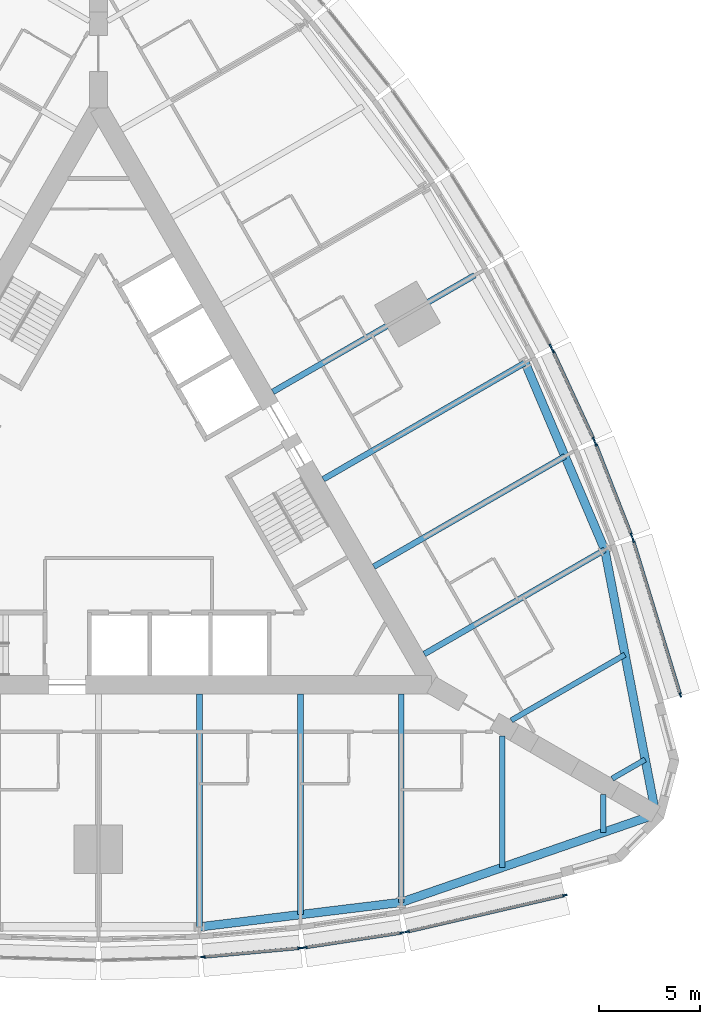
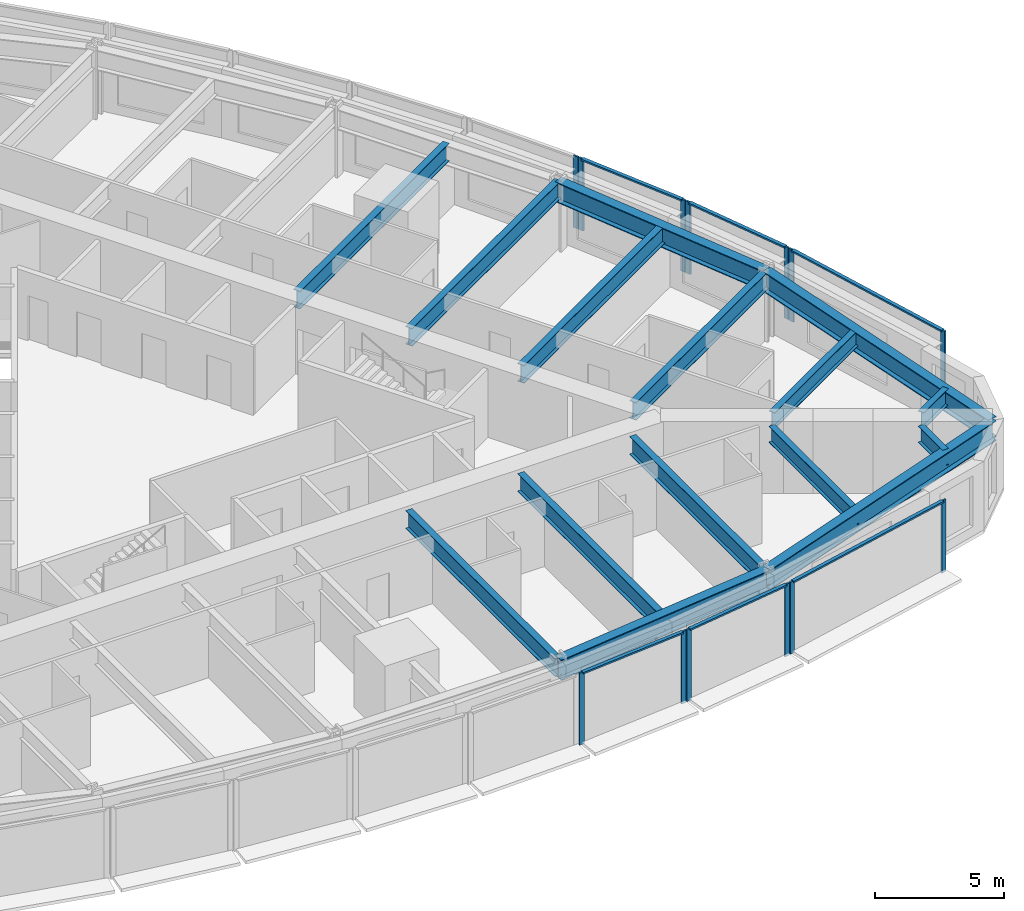
# One storey, part 3 of 14: 19 members, 15 beams, 7 elements without a shape of their own.
"""IFC4 building model written with IfcOpenShell, lengths in metres."""

from ifc_helpers import new_model, si_unit, direction, frame, origin, origin_2d, place, context, subcontext, project, spatial, rectangle, i_section, extrude, material, material_profile, profile_set, type_object, element, aggregate, save


model = new_model("IFC4")

# Units and contexts
model_context = context("Model", 3, precision=1e-05, world=origin(), true_north=direction((0.0, 1.0)))
body_context = subcontext(model_context, "Body", "Model", "MODEL_VIEW")
ifc_project = project(units=[si_unit("LENGTHUNIT", "METRE"), si_unit("AREAUNIT", "SQUARE_METRE"), si_unit("VOLUMEUNIT", "CUBIC_METRE"), si_unit("PLANEANGLEUNIT", "RADIAN"), si_unit("MASSUNIT", "GRAM", prefix="KILO")], contexts=[model_context])

# Site, building, storey
site_placement = place(None, origin())
site = spatial("IfcSite", under=ifc_project, at=site_placement, CompositionType="ELEMENT")
building_placement = place(site_placement, origin())
building = spatial("IfcBuilding", under=site, at=building_placement, Name="Trikona Tower", CompositionType="ELEMENT")
storey_placement = place(building_placement, frame((0.0, 0.0, 79.5)))
storey = spatial("IfcBuildingStorey", under=building, at=storey_placement, Name="L20", CompositionType="ELEMENT", Elevation=79.5)

# Curtain wall, members
ifc_material_1 = material(Name="Aluminium curtain wall system", Category="aluminium")
curtain_wall_type = type_object("IfcCurtainWallType", Name="Curtain wall DS1", PredefinedType="NOTDEFINED", material=ifc_material_1)
curtain_wall_1_placement = place(storey_placement, origin())
curtain_wall_1 = element("IfcCurtainWall", 1, at=curtain_wall_1_placement, inside=storey, type_object=curtain_wall_type, Name="Curtain wall DS1 L20", PredefinedType="NOTDEFINED")
ifc_material_2 = material(Name="Aluminium mullion, pale anodised", Category="aluminium")
ifc_material_profile_1 = material_profile(ifc_material_2, rectangle(XDim=0.080078125, YDim=0.219970703125, at=origin_2d()), Name="MUL-DS1")
ifc_profile_set_1 = profile_set([ifc_material_profile_1], Name="Aluminium mullion, pale anodised")
member_type_1 = type_object("IfcMemberType", Name="Mullion DS1 80x220", PredefinedType="MULLION", material=ifc_profile_set_1)
member_1_placement = place(storey_placement, frame((5.181396484375, -23.007568359375, 0.0), z_axis=(0.0, 0.0, 1.0), x_axis=(-0.090923932737, 0.995857840485, 0.0)))
member_1 = element("IfcMember", 2, at=member_1_placement, type_object=member_type_1, Name="CW-DS1 mullion 1", PredefinedType="MULLION", context=body_context, shape_type="SweptSolid", body=[
    extrude(rectangle(XDim=0.080078125, YDim=0.219970703125, at=origin_2d()), origin(), (0.0, 0.0, 1.0), 3.39990234375),
])
member_2_placement = place(storey_placement, frame((9.982177734375, -22.5693359375, 0.0), z_axis=(0.0, 0.0, 1.0), x_axis=(-0.090923932737, 0.995857840485, 0.0)))
member_2 = element("IfcMember", 3, at=member_2_placement, type_object=member_type_1, Name="CW-DS1 mullion 2", PredefinedType="MULLION", context=body_context, shape_type="SweptSolid", body=[
    extrude(rectangle(XDim=0.080078125, YDim=0.219970703125, at=origin_2d()), origin(), (0.0, 0.0, 1.0), 3.39990234375),
])

curtain_wall_2_placement = place(storey_placement, origin())
curtain_wall_2 = element("IfcCurtainWall", 4, at=curtain_wall_2_placement, inside=storey, type_object=curtain_wall_type, Name="Curtain wall DS1 L20", PredefinedType="NOTDEFINED")
member_3_placement = place(storey_placement, frame((10.234130859375, -22.53857421875, 0.0), z_axis=(0.0, 0.0, 1.0), x_axis=(-0.150437693845, 0.988619492156, 0.0)))
member_3 = element("IfcMember", 5, at=member_3_placement, type_object=member_type_1, Name="CW-DS1 mullion 1", PredefinedType="MULLION", context=body_context, shape_type="SweptSolid", body=[
    extrude(rectangle(XDim=0.080078125, YDim=0.219970703125, at=origin_2d()), origin(), (0.0, 0.0, 1.0), 3.39990234375),
])
member_4_placement = place(storey_placement, frame((15.03662109375, -21.807861328125, 0.0), z_axis=(0.0, 0.0, 1.0), x_axis=(-0.150437693845, 0.988619492156, 0.0)))
member_4 = element("IfcMember", 6, at=member_4_placement, type_object=member_type_1, Name="CW-DS1 mullion 2", PredefinedType="MULLION", context=body_context, shape_type="SweptSolid", body=[
    extrude(rectangle(XDim=0.080078125, YDim=0.219970703125, at=origin_2d()), origin(), (0.0, 0.0, 1.0), 3.39990234375),
])

curtain_wall_3_placement = place(storey_placement, origin())
curtain_wall_3 = element("IfcCurtainWall", 7, at=curtain_wall_3_placement, inside=storey, type_object=curtain_wall_type, Name="Curtain wall DS1 L20", PredefinedType="NOTDEFINED")
member_5_placement = place(storey_placement, frame((15.30029296875, -21.75732421875, 0.0), z_axis=(0.0, 0.0, 1.0), x_axis=(-0.225343288756, 0.974279427173, 0.0)))
member_5 = element("IfcMember", 8, at=member_5_placement, type_object=member_type_1, Name="CW-DS1 mullion 1", PredefinedType="MULLION", context=body_context, shape_type="SweptSolid", body=[
    extrude(rectangle(XDim=0.080078125, YDim=0.219970703125, at=origin_2d()), origin(), (0.0, 0.0, 1.0), 3.39990234375),
])
member_6_placement = place(storey_placement, frame((23.10546875, -19.951904296875, 0.0), z_axis=(0.0, 0.0, 1.0), x_axis=(-0.225343288756, 0.974279427173, 0.0)))
member_6 = element("IfcMember", 9, at=member_6_placement, type_object=member_type_1, Name="CW-DS1 mullion 2", PredefinedType="MULLION", context=body_context, shape_type="SweptSolid", body=[
    extrude(rectangle(XDim=0.080078125, YDim=0.219970703125, at=origin_2d()), origin(), (0.0, 0.0, 1.0), 3.39990234375),
])

curtain_wall_4_placement = place(storey_placement, origin())
curtain_wall_4 = element("IfcCurtainWall", 10, at=curtain_wall_4_placement, inside=storey, type_object=curtain_wall_type, Name="Curtain wall DS1 L20", PredefinedType="NOTDEFINED")
member_7_placement = place(storey_placement, frame((28.83154296875, -10.033935546875, 0.0), z_axis=(0.0, 0.0, 1.0), x_axis=(-0.956423115383, -0.291984287868, 0.0)))
member_7 = element("IfcMember", 11, at=member_7_placement, type_object=member_type_1, Name="CW-DS1 mullion 1", PredefinedType="MULLION", context=body_context, shape_type="SweptSolid", body=[
    extrude(rectangle(XDim=0.080078125, YDim=0.219970703125, at=origin_2d()), origin(), (0.0, 0.0, 1.0), 3.39990234375),
])
member_8_placement = place(storey_placement, frame((26.492431640625, -2.371826171875, 0.0), z_axis=(0.0, 0.0, 1.0), x_axis=(-0.956423115383, -0.291984287868, 0.0)))
member_8 = element("IfcMember", 12, at=member_8_placement, type_object=member_type_1, Name="CW-DS1 mullion 2", PredefinedType="MULLION", context=body_context, shape_type="SweptSolid", body=[
    extrude(rectangle(XDim=0.080078125, YDim=0.219970703125, at=origin_2d()), origin(), (0.0, 0.0, 1.0), 3.39990234375),
])

curtain_wall_5_placement = place(storey_placement, origin())
curtain_wall_5 = element("IfcCurtainWall", 13, at=curtain_wall_5_placement, inside=storey, type_object=curtain_wall_type, Name="Curtain wall DS1 L20", PredefinedType="NOTDEFINED")
member_9_placement = place(storey_placement, frame((26.404296875, -2.1181640625, 0.0), z_axis=(0.0, 0.0, 1.0), x_axis=(-0.931395989443, -0.36400756977, 0.0)))
member_9 = element("IfcMember", 14, at=member_9_placement, type_object=member_type_1, Name="CW-DS1 mullion 1", PredefinedType="MULLION", context=body_context, shape_type="SweptSolid", body=[
    extrude(rectangle(XDim=0.080078125, YDim=0.219970703125, at=origin_2d()), origin(), (0.0, 0.0, 1.0), 3.39990234375),
])
member_10_placement = place(storey_placement, frame((24.63623046875, 2.40625, 0.0), z_axis=(0.0, 0.0, 1.0), x_axis=(-0.931395989443, -0.36400756977, 0.0)))
member_10 = element("IfcMember", 15, at=member_10_placement, type_object=member_type_1, Name="CW-DS1 mullion 2", PredefinedType="MULLION", context=body_context, shape_type="SweptSolid", body=[
    extrude(rectangle(XDim=0.080078125, YDim=0.219970703125, at=origin_2d()), origin(), (0.0, 0.0, 1.0), 3.39990234375),
])

curtain_wall_6_placement = place(storey_placement, origin())
curtain_wall_6 = element("IfcCurtainWall", 16, at=curtain_wall_6_placement, inside=storey, type_object=curtain_wall_type, Name="Curtain wall DS1 L20", PredefinedType="NOTDEFINED")
member_11_placement = place(storey_placement, frame((24.53662109375, 2.6396484375, 0.0), z_axis=(0.0, 0.0, 1.0), x_axis=(-0.907898459992, -0.419190155352, 0.0)))
member_11 = element("IfcMember", 17, at=member_11_placement, type_object=member_type_1, Name="CW-DS1 mullion 1", PredefinedType="MULLION", context=body_context, shape_type="SweptSolid", body=[
    extrude(rectangle(XDim=0.080078125, YDim=0.219970703125, at=origin_2d()), origin(), (0.0, 0.0, 1.0), 3.39990234375),
])
member_12_placement = place(storey_placement, frame((22.515869140625, 7.0166015625, 0.0), z_axis=(0.0, 0.0, 1.0), x_axis=(-0.907898459992, -0.419190155352, 0.0)))
member_12 = element("IfcMember", 18, at=member_12_placement, type_object=member_type_1, Name="CW-DS1 mullion 2", PredefinedType="MULLION", context=body_context, shape_type="SweptSolid", body=[
    extrude(rectangle(XDim=0.080078125, YDim=0.219970703125, at=origin_2d()), origin(), (0.0, 0.0, 1.0), 3.39990234375),
])

# Curtain wall, member
curtain_wall_7_placement = place(storey_placement, origin())
curtain_wall_7 = element("IfcCurtainWall", 19, at=curtain_wall_7_placement, inside=storey, type_object=curtain_wall_type, Name="Curtain wall DS1 L20", PredefinedType="NOTDEFINED")
member_13_placement = place(storey_placement, frame((22.402099609375, 7.244140625, 0.0), z_axis=(0.0, 0.0, 1.0), x_axis=(-0.880843080975, -0.473408350896, 0.0)))
member_13 = element("IfcMember", 20, at=member_13_placement, type_object=member_type_1, Name="CW-DS1 mullion 1", PredefinedType="MULLION", context=body_context, shape_type="SweptSolid", body=[
    extrude(rectangle(XDim=0.080078125, YDim=0.219970703125, at=origin_2d()), origin(), (0.0, 0.0, 1.0), 3.39990234375),
])
aggregate(curtain_wall_7, [member_13])

# Beams
ifc_material_3 = material(Name="Steel ASTM A992 Grade 50", Category="steel")
ifc_material_profile_2 = material_profile(ifc_material_3, i_section(OverallWidth=0.2666015625, OverallDepth=0.76953125, WebThickness=0.015625, FlangeThickness=0.025390625, at=origin_2d()), Name="W30X132")
ifc_profile_set_2 = profile_set([ifc_material_profile_2], Name="Steel ASTM A992 Grade 50")
beam_type_1 = type_object("IfcBeamType", Name="Steel beam W30x132 (wedge)", PredefinedType="BEAM", material=ifc_profile_set_2)
beam_1_placement = place(storey_placement, frame((20.0, -12.066650390625, 2.85009765625), z_axis=(0.0, -1.0, 0.0), x_axis=(1.0, 0.0, 0.0)))
element("IfcBeam", 21, at=beam_1_placement, inside=storey, type_object=beam_type_1, Name="Floor beam L21 F1 u20", PredefinedType="BEAM", context=body_context, shape_type="SweptSolid", body=[
    extrude(i_section(OverallWidth=0.2666015625, OverallDepth=0.76953125, WebThickness=0.015625, FlangeThickness=0.025390625, at=origin_2d()), origin(), (0.0, 0.0, 1.0), 6.5068359375),
])
for number, where, z_axis, x_axis, name in (
    (22, (25.0, -14.953369140625, 2.85009765625), (0.0, -1.0, 0.0), (1.0, 0.0, 0.0), "Floor beam L21 F1 u25"),
    (23, (25.449951171875, -14.173828125, 2.85009765625), (0.866065156741, 0.499931139538, 0.0), (-0.499931139538, 0.866065156741, 0.0), "Floor beam L21 F2 u-25"),
):
    element("IfcBeam", number, at=place(storey_placement, frame(where, z_axis=z_axis, x_axis=x_axis)), inside=storey, type_object=beam_type_1, Name=name, PredefinedType="BEAM", context=body_context, shape_type="SweptSolid", body=[
        extrude(i_section(OverallWidth=0.2666015625, OverallDepth=0.76953125, WebThickness=0.015625, FlangeThickness=0.025390625, at=origin_2d()), origin(), (0.0, 0.0, 1.0), 1.890380859375),
    ])
beam_2_placement = place(storey_placement, frame((20.449951171875, -11.287109375, 2.85009765625), z_axis=(0.866022504693, 0.50000502134, 0.0), x_axis=(-0.50000502134, 0.866022504693, 0.0)))
element("IfcBeam", 24, at=beam_2_placement, inside=storey, type_object=beam_type_1, Name="Floor beam L21 F2 u-20", PredefinedType="BEAM", context=body_context, shape_type="SweptSolid", body=[
    extrude(i_section(OverallWidth=0.2666015625, OverallDepth=0.76953125, WebThickness=0.015625, FlangeThickness=0.025390625, at=origin_2d()), origin(), (0.0, 0.0, 1.0), 6.5068359375),
])
ifc_material_4 = material(Name="Steel ASTM A992 Grade 50", Category="steel")
ifc_material_profile_3 = material_profile(ifc_material_4, i_section(OverallWidth=0.2919921875, OverallDepth=0.845703125, WebThickness=0.015380859375, FlangeThickness=0.0244140625, at=origin_2d()), Name="W33X141")
ifc_profile_set_3 = profile_set([ifc_material_profile_3], Name="Steel ASTM A992 Grade 50")
beam_type_2 = type_object("IfcBeamType", Name="Steel beam W33x141 (radial typ)", PredefinedType="BEAM", material=ifc_profile_set_3)
beam_3_placement = place(storey_placement, frame((5.0, -9.976318359375, 2.81201171875), z_axis=(0.0, -1.0, 0.0), x_axis=(1.0, 0.0, 0.0)))
element("IfcBeam", 25, at=beam_3_placement, inside=storey, type_object=beam_type_2, Name="Floor beam L21 F1 u5", PredefinedType="BEAM", context=body_context, shape_type="SweptSolid", body=[
    extrude(i_section(OverallWidth=0.2919921875, OverallDepth=0.845703125, WebThickness=0.015380859375, FlangeThickness=0.0244140625, at=origin_2d()), origin(), (0.0, 0.0, 1.0), 11.544189453125),
])
beam_4_placement = place(storey_placement, frame((10.0, -9.976318359375, 2.81201171875), z_axis=(0.0, -1.0, 0.0), x_axis=(1.0, 0.0, 0.0)))
element("IfcBeam", 26, at=beam_4_placement, inside=storey, type_object=beam_type_2, Name="Floor beam L21 F1 u10", PredefinedType="BEAM", context=body_context, shape_type="SweptSolid", body=[
    extrude(i_section(OverallWidth=0.2919921875, OverallDepth=0.845703125, WebThickness=0.015380859375, FlangeThickness=0.0244140625, at=origin_2d()), origin(), (0.0, 0.0, 1.0), 10.935302734375),
])
beam_5_placement = place(storey_placement, frame((15.0, -9.976318359375, 2.81201171875), z_axis=(0.0, -1.0, 0.0), x_axis=(1.0, 0.0, 0.0)))
element("IfcBeam", 27, at=beam_5_placement, inside=storey, type_object=beam_type_2, Name="Floor beam L21 F1 u15", PredefinedType="BEAM", context=body_context, shape_type="SweptSolid", body=[
    extrude(i_section(OverallWidth=0.2919921875, OverallDepth=0.845703125, WebThickness=0.015380859375, FlangeThickness=0.0244140625, at=origin_2d()), origin(), (0.0, 0.0, 1.0), 10.32666015625),
])
beam_6_placement = place(storey_placement, frame((16.1396484375, -8.002197265625, 2.81201171875), z_axis=(0.866030471684, 0.499991222037, 0.0), x_axis=(-0.499991222037, 0.866030471684, 0.0)))
element("IfcBeam", 28, at=beam_6_placement, inside=storey, type_object=beam_type_2, Name="Floor beam L21 F2 u-15", PredefinedType="BEAM", context=body_context, shape_type="SweptSolid", body=[
    extrude(i_section(OverallWidth=0.2919921875, OverallDepth=0.845703125, WebThickness=0.015380859375, FlangeThickness=0.0244140625, at=origin_2d()), origin(), (0.0, 0.0, 1.0), 10.326904296875),
])
beam_7_placement = place(storey_placement, frame((13.6396484375, -3.672119140625, 2.81201171875), z_axis=(0.866025348605, 0.500000095573, 0.0), x_axis=(-0.500000095573, 0.866025348605, 0.0)))
element("IfcBeam", 29, at=beam_7_placement, inside=storey, type_object=beam_type_2, Name="Floor beam L21 F2 u-10", PredefinedType="BEAM", context=body_context, shape_type="SweptSolid", body=[
    extrude(i_section(OverallWidth=0.2919921875, OverallDepth=0.845703125, WebThickness=0.015380859375, FlangeThickness=0.0244140625, at=origin_2d()), origin(), (0.0, 0.0, 1.0), 10.935546875),
])
for number, where, z_axis, x_axis, name in (
    (30, (11.1396484375, 0.657958984375, 2.81201171875), (0.866020765707, 0.500008033299, 0.0), (-0.500008033299, 0.866020765707, 0.0), "Floor beam L21 F2 u-5"),
    (31, (8.6396484375, 4.988037109375, 2.81201171875), (0.866020765707, 0.500008033299, 0.0), (-0.500008033299, 0.866020765707, 0.0), "Floor beam L21 F2 u0"),
):
    element("IfcBeam", number, at=place(storey_placement, frame(where, z_axis=z_axis, x_axis=x_axis)), inside=storey, type_object=beam_type_2, Name=name, PredefinedType="BEAM", context=body_context, shape_type="SweptSolid", body=[
        extrude(i_section(OverallWidth=0.2919921875, OverallDepth=0.845703125, WebThickness=0.015380859375, FlangeThickness=0.0244140625, at=origin_2d()), origin(), (0.0, 0.0, 1.0), 11.544189453125),
    ])
ifc_material_5 = material(Name="Steel ASTM A992 Grade 50", Category="steel")
ifc_material_profile_4 = material_profile(ifc_material_5, i_section(OverallWidth=0.424072265625, OverallDepth=0.947509765625, WebThickness=0.02392578125, FlangeThickness=0.042724609375, at=origin_2d()), Name="W36X302")
ifc_profile_set_4 = profile_set([ifc_material_profile_4], Name="Steel ASTM A992 Grade 50")
beam_type_3 = type_object("IfcBeamType", Name="Steel beam W36x302 (spandrel)", PredefinedType="SPANDREL", material=ifc_profile_set_4)
beam_8_placement = place(storey_placement, frame((5.0, -21.5205078125, 2.76123046875), z_axis=(0.99266951126, 0.120860421207, 0.0), x_axis=(-0.120860421207, 0.99266951126, 0.0)))
element("IfcBeam", 32, at=beam_8_placement, inside=storey, type_object=beam_type_3, Name="Spandrel beam L21 F1-4", PredefinedType="SPANDREL", context=body_context, shape_type="SweptSolid", body=[
    extrude(i_section(OverallWidth=0.424072265625, OverallDepth=0.947509765625, WebThickness=0.02392578125, FlangeThickness=0.042724609375, at=origin_2d()), origin(), (0.0, 0.0, 1.0), 10.07373046875),
])
for number, where, z_axis, x_axis, name in (
    (33, (15.0, -20.302978515625, 2.76123046875), (0.945056965739, 0.326905692071, 0.0), (-0.326905692071, 0.945056965739, 0.0), "Spandrel beam L21 F1-5"),
    (34, (27.6103515625, -15.94091796875, 2.76123046875), (-0.189405184036, 0.981899015307, 0.0), (-0.981899015307, -0.189405184036, 0.0), "Spandrel beam L21 F2-1"),
):
    element("IfcBeam", number, at=place(storey_placement, frame(where, z_axis=z_axis, x_axis=x_axis)), inside=storey, type_object=beam_type_3, Name=name, PredefinedType="SPANDREL", context=body_context, shape_type="SweptSolid", body=[
        extrude(i_section(OverallWidth=0.424072265625, OverallDepth=0.947509765625, WebThickness=0.02392578125, FlangeThickness=0.042724609375, at=origin_2d()), origin(), (0.0, 0.0, 1.0), 13.343505859375),
    ])
beam_9_placement = place(storey_placement, frame((25.0830078125, -2.8388671875, 2.76123046875), z_axis=(-0.391683514847, 0.920100007715, 0.0), x_axis=(-0.920100007715, -0.391683514847, 0.0)))
element("IfcBeam", 35, at=beam_9_placement, inside=storey, type_object=beam_type_3, Name="Spandrel beam L21 F2-2", PredefinedType="SPANDREL", context=body_context, shape_type="SweptSolid", body=[
    extrude(i_section(OverallWidth=0.424072265625, OverallDepth=0.947509765625, WebThickness=0.02392578125, FlangeThickness=0.042724609375, at=origin_2d()), origin(), (0.0, 0.0, 1.0), 10.073974609375),
])

# Member
ifc_material_6 = material(Name="Aluminium transom, pale anodised", Category="aluminium")
ifc_material_profile_5 = material_profile(ifc_material_6, rectangle(XDim=0.159912109375, YDim=0.080078125, at=origin_2d()), Name="TRN-DS1")
ifc_profile_set_5 = profile_set([ifc_material_profile_5], Name="Aluminium transom, pale anodised")
member_type_2 = type_object("IfcMemberType", Name="Transom DS1 80x160", PredefinedType="USERDEFINED", material=ifc_profile_set_5)
member_14_placement = place(storey_placement, frame((5.22119140625, -23.00390625, 3.360107421875), z_axis=(0.995855977008, 0.090944340438, 0.0), x_axis=(-0.090944340438, 0.995855977008, 0.0)))
member_14 = element("IfcMember", 36, at=member_14_placement, type_object=member_type_2, Name="CW-DS1 transom 1.1", ObjectType="TRANSOM", PredefinedType="USERDEFINED", context=body_context, shape_type="SweptSolid", body=[
    extrude(rectangle(XDim=0.159912109375, YDim=0.080078125, at=origin_2d()), origin(), (0.0, 0.0, 1.0), 4.74072265625),
])

aggregate(curtain_wall_1, [member_1, member_2, member_14])

member_15_placement = place(storey_placement, frame((10.273681640625, -22.532470703125, 3.360107421875), z_axis=(0.988619663412, 0.150436568413, 0.0), x_axis=(-0.150436568413, 0.988619663412, 0.0)))
member_15 = element("IfcMember", 37, at=member_15_placement, type_object=member_type_2, Name="CW-DS1 transom 1.1", ObjectType="TRANSOM", PredefinedType="USERDEFINED", context=body_context, shape_type="SweptSolid", body=[
    extrude(rectangle(XDim=0.159912109375, YDim=0.080078125, at=origin_2d()), origin(), (0.0, 0.0, 1.0), 4.77783203125),
])

aggregate(curtain_wall_2, [member_3, member_4, member_15])

member_16_placement = place(storey_placement, frame((15.33935546875, -21.748291015625, 3.360107421875), z_axis=(0.974275371842, 0.225360821398, 0.0), x_axis=(-0.225360821398, 0.974275371842, 0.0)))
member_16 = element("IfcMember", 38, at=member_16_placement, type_object=member_type_2, Name="CW-DS1 transom 1.1", ObjectType="TRANSOM", PredefinedType="USERDEFINED", context=body_context, shape_type="SweptSolid", body=[
    extrude(rectangle(XDim=0.159912109375, YDim=0.080078125, at=origin_2d()), origin(), (0.0, 0.0, 1.0), 7.93115234375),
])

aggregate(curtain_wall_3, [member_5, member_6, member_16])

member_17_placement = place(storey_placement, frame((28.81982421875, -9.99560546875, 3.360107421875), z_axis=(-0.291967490203, 0.956428243343, 0.0), x_axis=(-0.956428243343, -0.291967490203, 0.0)))
member_17 = element("IfcMember", 39, at=member_17_placement, type_object=member_type_2, Name="CW-DS1 transom 1.1", ObjectType="TRANSOM", PredefinedType="USERDEFINED", context=body_context, shape_type="SweptSolid", body=[
    extrude(rectangle(XDim=0.159912109375, YDim=0.080078125, at=origin_2d()), origin(), (0.0, 0.0, 1.0), 7.93115234375),
])

aggregate(curtain_wall_4, [member_7, member_8, member_17])

member_18_placement = place(storey_placement, frame((26.389892578125, -2.080810546875, 3.360107421875), z_axis=(-0.364048647668, 0.931379934362, 0.0), x_axis=(-0.931379934362, -0.364048647668, 0.0)))
member_18 = element("IfcMember", 40, at=member_18_placement, type_object=member_type_2, Name="CW-DS1 transom 1.1", ObjectType="TRANSOM", PredefinedType="USERDEFINED", context=body_context, shape_type="SweptSolid", body=[
    extrude(rectangle(XDim=0.159912109375, YDim=0.080078125, at=origin_2d()), origin(), (0.0, 0.0, 1.0), 4.777587890625),
])

aggregate(curtain_wall_5, [member_9, member_10, member_18])

member_19_placement = place(storey_placement, frame((24.52001953125, 2.676025390625, 3.360107421875), z_axis=(-0.419188800665, 0.90789908547, 0.0), x_axis=(-0.90789908547, -0.419188800665, 0.0)))
member_19 = element("IfcMember", 41, at=member_19_placement, type_object=member_type_2, Name="CW-DS1 transom 1.1", ObjectType="TRANSOM", PredefinedType="USERDEFINED", context=body_context, shape_type="SweptSolid", body=[
    extrude(rectangle(XDim=0.159912109375, YDim=0.080078125, at=origin_2d()), origin(), (0.0, 0.0, 1.0), 4.74072265625),
])

aggregate(curtain_wall_6, [member_11, member_12, member_19])

save(model, "model.ifc")
